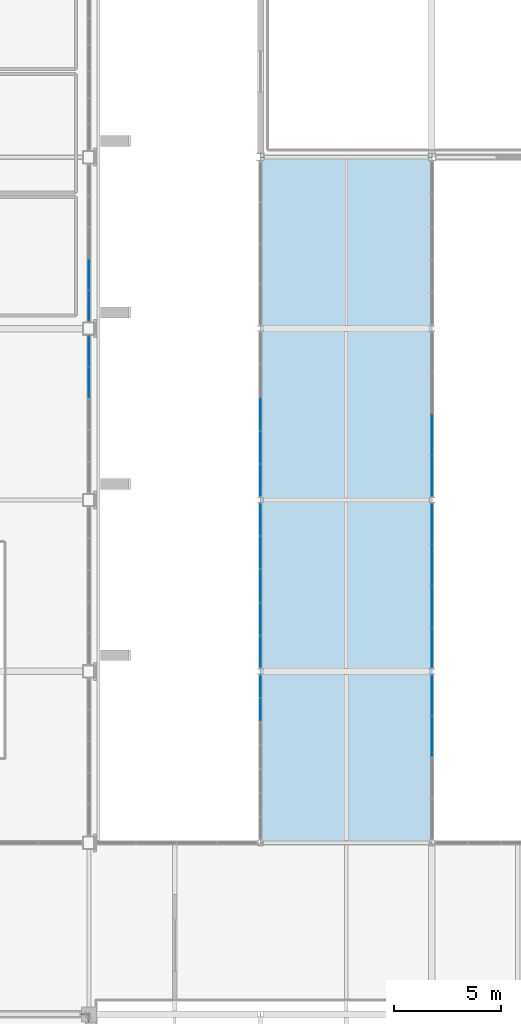
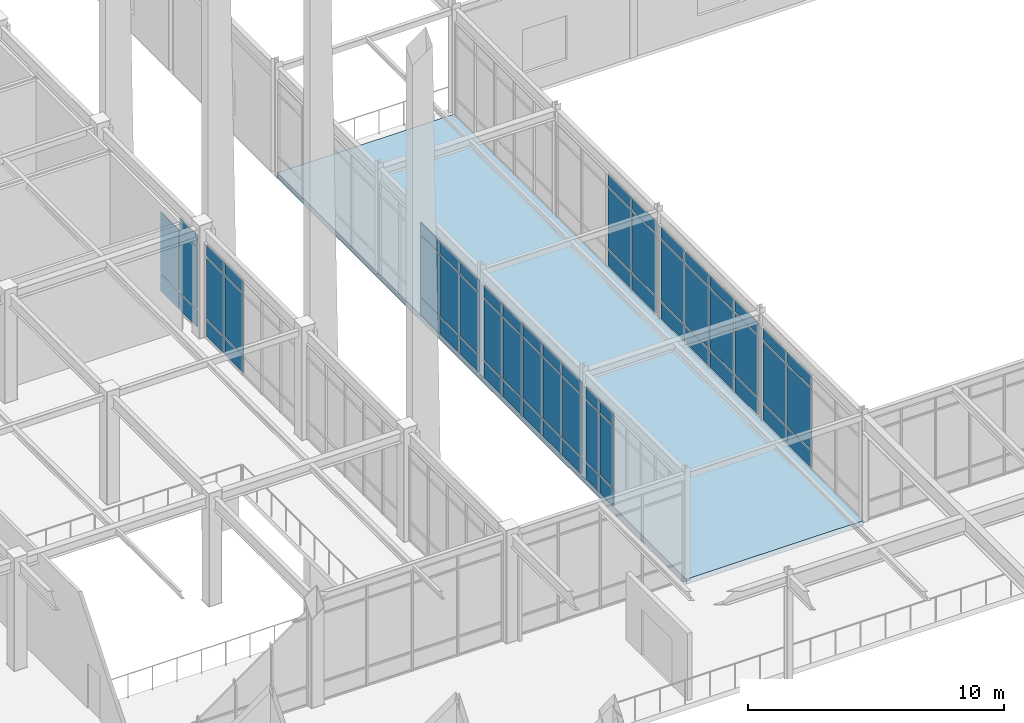
# One storey, part 88 of 184: 65 plates, 1 slab, 8 elements without a shape of their own.
"""IFC4 building model written with IfcOpenShell, lengths in metres."""

from ifc_helpers import new_model, si_unit, direction, frame, origin, origin_2d, place, context, subcontext, project, spatial, polyline, rectangle, outline, extrude, material, layer, layer_set, type_object, element, aggregate, save


model = new_model("IFC4")

# Units and contexts
model_context = context("Model", 3, precision=1e-05, world=origin(), true_north=direction((0.0, 1.0)))
body_context = subcontext(model_context, "Body", "Model", "MODEL_VIEW")
ifc_project = project(units=[si_unit("LENGTHUNIT", "METRE"), si_unit("AREAUNIT", "SQUARE_METRE"), si_unit("VOLUMEUNIT", "CUBIC_METRE"), si_unit("PLANEANGLEUNIT", "RADIAN"), si_unit("MASSUNIT", "GRAM", prefix="KILO")], contexts=[model_context])

# Site, building, storey
site_placement = place(None, origin())
site = spatial("IfcSite", under=ifc_project, at=site_placement, CompositionType="ELEMENT")
building_placement = place(site_placement, origin())
building = spatial("IfcBuilding", under=site, at=building_placement, Name="Zhaolan Boulevard Law Courts", CompositionType="ELEMENT")
storey_placement = place(building_placement, frame((0.0, 0.0, 5.39990234375)))
storey = spatial("IfcBuildingStorey", under=building, at=storey_placement, Name="L01", CompositionType="ELEMENT", Elevation=5.39990234375)

# Curtain wall, plates
ifc_material_1 = material(Name="Thermally broken aluminium and low-E glazing", Category="aluminium")
curtain_wall_type_1 = type_object("IfcCurtainWallType", Name="CURTAIN WALL M18", PredefinedType="USERDEFINED", material=ifc_material_1)
curtain_wall_1_placement = place(storey_placement, origin())
curtain_wall_1 = element("IfcCurtainWall", 1, at=curtain_wall_1_placement, inside=storey, type_object=curtain_wall_type_1, Name="Curtain Wall CW-L01-066", ObjectType="CURTAIN WALL", PredefinedType="USERDEFINED")
ifc_material_2 = material(Name="Acoustic laminated low-E glazing", Category="glass")
ifc_layer_1 = layer(ifc_material_2, 0.031982421875)
ifc_layer_set_1 = layer_set([ifc_layer_1])
plate_type = type_object("IfcPlateType", Name="CWPANEL LOW E32", PredefinedType="CURTAIN_PANEL", material=ifc_layer_set_1)
plate_1_placement = place(storey_placement, frame((52.0, 37.303466796875, 0.06494140625), z_axis=(0.0, 0.0, 1.0), x_axis=(0.0, -1.0, 0.0)))
plate_1 = element("IfcPlate", 2, at=plate_1_placement, type_object=plate_type, Name="CW-L01-066 panel 1.1", PredefinedType="CURTAIN_PANEL", context=body_context, shape_type="SweptSolid", body=[
    extrude(rectangle(XDim=1.009033203125, YDim=0.031982421875, at=origin_2d()), origin(), (0.0, 0.0, 1.0), 0.802490234375),
])
plate_2_placement = place(storey_placement, frame((52.0, 37.303466796875, 0.9326171875), z_axis=(0.0, 0.0, 1.0), x_axis=(0.0, -1.0, 0.0)))
plate_2 = element("IfcPlate", 3, at=plate_2_placement, type_object=plate_type, Name="CW-L01-066 panel 1.2", PredefinedType="CURTAIN_PANEL", context=body_context, shape_type="SweptSolid", body=[
    extrude(rectangle(XDim=1.009033203125, YDim=0.031982421875, at=origin_2d()), origin(), (0.0, 0.0, 1.0), 2.91796875),
])
plate_3_placement = place(storey_placement, frame((52.0, 37.303466796875, 3.91552734375), z_axis=(0.0, 0.0, 1.0), x_axis=(0.0, -1.0, 0.0)))
plate_3 = element("IfcPlate", 4, at=plate_3_placement, type_object=plate_type, Name="CW-L01-066 panel 1.3", PredefinedType="CURTAIN_PANEL", context=body_context, shape_type="SweptSolid", body=[
    extrude(rectangle(XDim=1.009033203125, YDim=0.031982421875, at=origin_2d()), origin(), (0.0, 0.0, 1.0), 0.552490234375),
])
plate_4_placement = place(storey_placement, frame((52.0, 36.213134765625, 0.06494140625), z_axis=(0.0, 0.0, 1.0), x_axis=(0.0, -1.0, 0.0)))
plate_4 = element("IfcPlate", 5, at=plate_4_placement, type_object=plate_type, Name="CW-L01-066 panel 2.1", PredefinedType="CURTAIN_PANEL", context=body_context, shape_type="SweptSolid", body=[
    extrude(rectangle(XDim=1.04150390625, YDim=0.031982421875, at=origin_2d()), origin(), (0.0, 0.0, 1.0), 0.802490234375),
])
plate_5_placement = place(storey_placement, frame((52.0, 36.213134765625, 0.9326171875), z_axis=(0.0, 0.0, 1.0), x_axis=(0.0, -1.0, 0.0)))
plate_5 = element("IfcPlate", 6, at=plate_5_placement, type_object=plate_type, Name="CW-L01-066 panel 2.2", PredefinedType="CURTAIN_PANEL", context=body_context, shape_type="SweptSolid", body=[
    extrude(rectangle(XDim=1.04150390625, YDim=0.031982421875, at=origin_2d()), origin(), (0.0, 0.0, 1.0), 2.91796875),
])
plate_6_placement = place(storey_placement, frame((52.0, 36.213134765625, 3.91552734375), z_axis=(0.0, 0.0, 1.0), x_axis=(0.0, -1.0, 0.0)))
plate_6 = element("IfcPlate", 7, at=plate_6_placement, type_object=plate_type, Name="CW-L01-066 panel 2.3", PredefinedType="CURTAIN_PANEL", context=body_context, shape_type="SweptSolid", body=[
    extrude(rectangle(XDim=1.04150390625, YDim=0.031982421875, at=origin_2d()), origin(), (0.0, 0.0, 1.0), 0.552490234375),
])
aggregate(curtain_wall_1, [plate_1, plate_2, plate_3, plate_4, plate_5, plate_6])

ifc_material_3 = material(Name="Thermally broken aluminium and low-E glazing", Category="aluminium")
curtain_wall_type_2 = type_object("IfcCurtainWallType", Name="CURTAIN WALL M19", PredefinedType="USERDEFINED", material=ifc_material_3)
curtain_wall_2_placement = place(storey_placement, origin())
curtain_wall_2 = element("IfcCurtainWall", 8, at=curtain_wall_2_placement, inside=storey, type_object=curtain_wall_type_2, Name="Curtain Wall CW-L01-067", ObjectType="CURTAIN WALL", PredefinedType="USERDEFINED")
plate_7_placement = place(storey_placement, frame((52.0, 45.08203125, 0.06494140625), z_axis=(0.0, 0.0, 1.0), x_axis=(0.0, -1.0, 0.0)))
plate_7 = element("IfcPlate", 9, at=plate_7_placement, type_object=plate_type, Name="CW-L01-067 panel 1.1", PredefinedType="CURTAIN_PANEL", context=body_context, shape_type="SweptSolid", body=[
    extrude(rectangle(XDim=1.45166015625, YDim=0.031982421875, at=origin_2d()), origin(), (0.0, 0.0, 1.0), 0.802490234375),
])
plate_8_placement = place(storey_placement, frame((52.0, 45.08203125, 0.9326171875), z_axis=(0.0, 0.0, 1.0), x_axis=(0.0, -1.0, 0.0)))
plate_8 = element("IfcPlate", 10, at=plate_8_placement, type_object=plate_type, Name="CW-L01-067 panel 1.2", PredefinedType="CURTAIN_PANEL", context=body_context, shape_type="SweptSolid", body=[
    extrude(rectangle(XDim=1.45166015625, YDim=0.031982421875, at=origin_2d()), origin(), (0.0, 0.0, 1.0), 2.91796875),
])
plate_9_placement = place(storey_placement, frame((52.0, 45.08203125, 3.91552734375), z_axis=(0.0, 0.0, 1.0), x_axis=(0.0, -1.0, 0.0)))
plate_9 = element("IfcPlate", 11, at=plate_9_placement, type_object=plate_type, Name="CW-L01-067 panel 1.3", PredefinedType="CURTAIN_PANEL", context=body_context, shape_type="SweptSolid", body=[
    extrude(rectangle(XDim=1.45166015625, YDim=0.031982421875, at=origin_2d()), origin(), (0.0, 0.0, 1.0), 0.552490234375),
])
plate_10_placement = place(storey_placement, frame((52.0, 43.54931640625, 0.06494140625), z_axis=(0.0, 0.0, 1.0), x_axis=(0.0, -1.0, 0.0)))
plate_10 = element("IfcPlate", 12, at=plate_10_placement, type_object=plate_type, Name="CW-L01-067 panel 2.1", PredefinedType="CURTAIN_PANEL", context=body_context, shape_type="SweptSolid", body=[
    extrude(rectangle(XDim=1.484130859375, YDim=0.031982421875, at=origin_2d()), origin(), (0.0, 0.0, 1.0), 0.802490234375),
])
plate_11_placement = place(storey_placement, frame((52.0, 43.54931640625, 0.9326171875), z_axis=(0.0, 0.0, 1.0), x_axis=(0.0, -1.0, 0.0)))
plate_11 = element("IfcPlate", 13, at=plate_11_placement, type_object=plate_type, Name="CW-L01-067 panel 2.2", PredefinedType="CURTAIN_PANEL", context=body_context, shape_type="SweptSolid", body=[
    extrude(rectangle(XDim=1.484130859375, YDim=0.031982421875, at=origin_2d()), origin(), (0.0, 0.0, 1.0), 2.91796875),
])
plate_12_placement = place(storey_placement, frame((52.0, 43.54931640625, 3.91552734375), z_axis=(0.0, 0.0, 1.0), x_axis=(0.0, -1.0, 0.0)))
plate_12 = element("IfcPlate", 14, at=plate_12_placement, type_object=plate_type, Name="CW-L01-067 panel 2.3", PredefinedType="CURTAIN_PANEL", context=body_context, shape_type="SweptSolid", body=[
    extrude(rectangle(XDim=1.484130859375, YDim=0.031982421875, at=origin_2d()), origin(), (0.0, 0.0, 1.0), 0.552490234375),
])
plate_13_placement = place(storey_placement, frame((52.0, 42.0, 0.06494140625), z_axis=(0.0, 0.0, 1.0), x_axis=(0.0, -1.0, 0.0)))
plate_13 = element("IfcPlate", 15, at=plate_13_placement, type_object=plate_type, Name="CW-L01-067 panel 3.1", PredefinedType="CURTAIN_PANEL", context=body_context, shape_type="SweptSolid", body=[
    extrude(rectangle(XDim=1.484130859375, YDim=0.031982421875, at=origin_2d()), origin(), (0.0, 0.0, 1.0), 0.802490234375),
])
plate_14_placement = place(storey_placement, frame((52.0, 42.0, 0.9326171875), z_axis=(0.0, 0.0, 1.0), x_axis=(0.0, -1.0, 0.0)))
plate_14 = element("IfcPlate", 16, at=plate_14_placement, type_object=plate_type, Name="CW-L01-067 panel 3.2", PredefinedType="CURTAIN_PANEL", context=body_context, shape_type="SweptSolid", body=[
    extrude(rectangle(XDim=1.484130859375, YDim=0.031982421875, at=origin_2d()), origin(), (0.0, 0.0, 1.0), 2.91796875),
])
plate_15_placement = place(storey_placement, frame((52.0, 42.0, 3.91552734375), z_axis=(0.0, 0.0, 1.0), x_axis=(0.0, -1.0, 0.0)))
plate_15 = element("IfcPlate", 17, at=plate_15_placement, type_object=plate_type, Name="CW-L01-067 panel 3.3", PredefinedType="CURTAIN_PANEL", context=body_context, shape_type="SweptSolid", body=[
    extrude(rectangle(XDim=1.484130859375, YDim=0.031982421875, at=origin_2d()), origin(), (0.0, 0.0, 1.0), 0.552490234375),
])
plate_16_placement = place(storey_placement, frame((52.0, 40.45068359375, 0.06494140625), z_axis=(0.0, 0.0, 1.0), x_axis=(0.0, -1.0, 0.0)))
plate_16 = element("IfcPlate", 18, at=plate_16_placement, type_object=plate_type, Name="CW-L01-067 panel 4.1", PredefinedType="CURTAIN_PANEL", context=body_context, shape_type="SweptSolid", body=[
    extrude(rectangle(XDim=1.484130859375, YDim=0.031982421875, at=origin_2d()), origin(), (0.0, 0.0, 1.0), 0.802490234375),
])
plate_17_placement = place(storey_placement, frame((52.0, 40.45068359375, 0.9326171875), z_axis=(0.0, 0.0, 1.0), x_axis=(0.0, -1.0, 0.0)))
plate_17 = element("IfcPlate", 19, at=plate_17_placement, type_object=plate_type, Name="CW-L01-067 panel 4.2", PredefinedType="CURTAIN_PANEL", context=body_context, shape_type="SweptSolid", body=[
    extrude(rectangle(XDim=1.484130859375, YDim=0.031982421875, at=origin_2d()), origin(), (0.0, 0.0, 1.0), 2.91796875),
])
plate_18_placement = place(storey_placement, frame((52.0, 40.45068359375, 3.91552734375), z_axis=(0.0, 0.0, 1.0), x_axis=(0.0, -1.0, 0.0)))
plate_18 = element("IfcPlate", 20, at=plate_18_placement, type_object=plate_type, Name="CW-L01-067 panel 4.3", PredefinedType="CURTAIN_PANEL", context=body_context, shape_type="SweptSolid", body=[
    extrude(rectangle(XDim=1.484130859375, YDim=0.031982421875, at=origin_2d()), origin(), (0.0, 0.0, 1.0), 0.552490234375),
])
plate_19_placement = place(storey_placement, frame((52.0, 38.91796875, 0.06494140625), z_axis=(0.0, 0.0, 1.0), x_axis=(0.0, -1.0, 0.0)))
plate_19 = element("IfcPlate", 21, at=plate_19_placement, type_object=plate_type, Name="CW-L01-067 panel 5.1", PredefinedType="CURTAIN_PANEL", context=body_context, shape_type="SweptSolid", body=[
    extrude(rectangle(XDim=1.45166015625, YDim=0.031982421875, at=origin_2d()), origin(), (0.0, 0.0, 1.0), 0.802490234375),
])
plate_20_placement = place(storey_placement, frame((52.0, 38.91796875, 0.9326171875), z_axis=(0.0, 0.0, 1.0), x_axis=(0.0, -1.0, 0.0)))
plate_20 = element("IfcPlate", 22, at=plate_20_placement, type_object=plate_type, Name="CW-L01-067 panel 5.2", PredefinedType="CURTAIN_PANEL", context=body_context, shape_type="SweptSolid", body=[
    extrude(rectangle(XDim=1.45166015625, YDim=0.031982421875, at=origin_2d()), origin(), (0.0, 0.0, 1.0), 2.91796875),
])
plate_21_placement = place(storey_placement, frame((52.0, 38.91796875, 3.91552734375), z_axis=(0.0, 0.0, 1.0), x_axis=(0.0, -1.0, 0.0)))
plate_21 = element("IfcPlate", 23, at=plate_21_placement, type_object=plate_type, Name="CW-L01-067 panel 5.3", PredefinedType="CURTAIN_PANEL", context=body_context, shape_type="SweptSolid", body=[
    extrude(rectangle(XDim=1.45166015625, YDim=0.031982421875, at=origin_2d()), origin(), (0.0, 0.0, 1.0), 0.552490234375),
])
aggregate(curtain_wall_2, [plate_7, plate_8, plate_9, plate_10, plate_11, plate_12, plate_13, plate_14, plate_15, plate_16, plate_17, plate_18, plate_19, plate_20, plate_21])

ifc_material_4 = material(Name="Thermally broken aluminium and low-E glazing", Category="aluminium")
curtain_wall_type_3 = type_object("IfcCurtainWallType", Name="CURTAIN WALL M20", PredefinedType="USERDEFINED", material=ifc_material_4)
curtain_wall_3_placement = place(storey_placement, origin())
curtain_wall_3 = element("IfcCurtainWall", 24, at=curtain_wall_3_placement, inside=storey, type_object=curtain_wall_type_3, Name="Curtain Wall CW-L01-068", ObjectType="CURTAIN WALL", PredefinedType="USERDEFINED")
plate_22_placement = place(storey_placement, frame((52.0, 50.0, 0.06494140625), z_axis=(0.0, 0.0, 1.0), x_axis=(0.0, -1.0, 0.0)))
plate_22 = element("IfcPlate", 25, at=plate_22_placement, type_object=plate_type, Name="CW-L01-068 panel 3.1", PredefinedType="CURTAIN_PANEL", context=body_context, shape_type="SweptSolid", body=[
    extrude(rectangle(XDim=1.484130859375, YDim=0.031982421875, at=origin_2d()), origin(), (0.0, 0.0, 1.0), 0.802490234375),
])
plate_23_placement = place(storey_placement, frame((52.0, 50.0, 0.9326171875), z_axis=(0.0, 0.0, 1.0), x_axis=(0.0, -1.0, 0.0)))
plate_23 = element("IfcPlate", 26, at=plate_23_placement, type_object=plate_type, Name="CW-L01-068 panel 3.2", PredefinedType="CURTAIN_PANEL", context=body_context, shape_type="SweptSolid", body=[
    extrude(rectangle(XDim=1.484130859375, YDim=0.031982421875, at=origin_2d()), origin(), (0.0, 0.0, 1.0), 2.91796875),
])
plate_24_placement = place(storey_placement, frame((52.0, 50.0, 3.91552734375), z_axis=(0.0, 0.0, 1.0), x_axis=(0.0, -1.0, 0.0)))
plate_24 = element("IfcPlate", 27, at=plate_24_placement, type_object=plate_type, Name="CW-L01-068 panel 3.3", PredefinedType="CURTAIN_PANEL", context=body_context, shape_type="SweptSolid", body=[
    extrude(rectangle(XDim=1.484130859375, YDim=0.031982421875, at=origin_2d()), origin(), (0.0, 0.0, 1.0), 0.552490234375),
])
plate_25_placement = place(storey_placement, frame((52.0, 48.45068359375, 0.06494140625), z_axis=(0.0, 0.0, 1.0), x_axis=(0.0, -1.0, 0.0)))
plate_25 = element("IfcPlate", 28, at=plate_25_placement, type_object=plate_type, Name="CW-L01-068 panel 4.1", PredefinedType="CURTAIN_PANEL", context=body_context, shape_type="SweptSolid", body=[
    extrude(rectangle(XDim=1.484130859375, YDim=0.031982421875, at=origin_2d()), origin(), (0.0, 0.0, 1.0), 0.802490234375),
])
plate_26_placement = place(storey_placement, frame((52.0, 48.45068359375, 0.9326171875), z_axis=(0.0, 0.0, 1.0), x_axis=(0.0, -1.0, 0.0)))
plate_26 = element("IfcPlate", 29, at=plate_26_placement, type_object=plate_type, Name="CW-L01-068 panel 4.2", PredefinedType="CURTAIN_PANEL", context=body_context, shape_type="SweptSolid", body=[
    extrude(rectangle(XDim=1.484130859375, YDim=0.031982421875, at=origin_2d()), origin(), (0.0, 0.0, 1.0), 2.91796875),
])
plate_27_placement = place(storey_placement, frame((52.0, 48.45068359375, 3.91552734375), z_axis=(0.0, 0.0, 1.0), x_axis=(0.0, -1.0, 0.0)))
plate_27 = element("IfcPlate", 30, at=plate_27_placement, type_object=plate_type, Name="CW-L01-068 panel 4.3", PredefinedType="CURTAIN_PANEL", context=body_context, shape_type="SweptSolid", body=[
    extrude(rectangle(XDim=1.484130859375, YDim=0.031982421875, at=origin_2d()), origin(), (0.0, 0.0, 1.0), 0.552490234375),
])
plate_28_placement = place(storey_placement, frame((52.0, 46.91796875, 0.06494140625), z_axis=(0.0, 0.0, 1.0), x_axis=(0.0, -1.0, 0.0)))
plate_28 = element("IfcPlate", 31, at=plate_28_placement, type_object=plate_type, Name="CW-L01-068 panel 5.1", PredefinedType="CURTAIN_PANEL", context=body_context, shape_type="SweptSolid", body=[
    extrude(rectangle(XDim=1.45166015625, YDim=0.031982421875, at=origin_2d()), origin(), (0.0, 0.0, 1.0), 0.802490234375),
])
plate_29_placement = place(storey_placement, frame((52.0, 46.91796875, 0.9326171875), z_axis=(0.0, 0.0, 1.0), x_axis=(0.0, -1.0, 0.0)))
plate_29 = element("IfcPlate", 32, at=plate_29_placement, type_object=plate_type, Name="CW-L01-068 panel 5.2", PredefinedType="CURTAIN_PANEL", context=body_context, shape_type="SweptSolid", body=[
    extrude(rectangle(XDim=1.45166015625, YDim=0.031982421875, at=origin_2d()), origin(), (0.0, 0.0, 1.0), 2.91796875),
])
plate_30_placement = place(storey_placement, frame((52.0, 46.91796875, 3.91552734375), z_axis=(0.0, 0.0, 1.0), x_axis=(0.0, -1.0, 0.0)))
plate_30 = element("IfcPlate", 33, at=plate_30_placement, type_object=plate_type, Name="CW-L01-068 panel 5.3", PredefinedType="CURTAIN_PANEL", context=body_context, shape_type="SweptSolid", body=[
    extrude(rectangle(XDim=1.45166015625, YDim=0.031982421875, at=origin_2d()), origin(), (0.0, 0.0, 1.0), 0.552490234375),
])
aggregate(curtain_wall_3, [plate_22, plate_23, plate_24, plate_25, plate_26, plate_27, plate_28, plate_29, plate_30])

ifc_material_5 = material(Name="Thermally broken aluminium and low-E glazing", Category="aluminium")
curtain_wall_type_4 = type_object("IfcCurtainWallType", Name="CURTAIN WALL M22", PredefinedType="USERDEFINED", material=ifc_material_5)
curtain_wall_4_placement = place(storey_placement, origin())
curtain_wall_4 = element("IfcCurtainWall", 34, at=curtain_wall_4_placement, inside=storey, type_object=curtain_wall_type_4, Name="Curtain Wall CW-L01-070", ObjectType="CURTAIN WALL", PredefinedType="USERDEFINED")
plate_31_placement = place(storey_placement, frame((60.0, 34.96826171875, 0.06494140625), z_axis=(0.0, 0.0, 1.0), x_axis=(0.0, 1.0, 0.0)))
plate_31 = element("IfcPlate", 35, at=plate_31_placement, type_object=plate_type, Name="CW-L01-070 panel 3.1", PredefinedType="CURTAIN_PANEL", context=body_context, shape_type="SweptSolid", body=[
    extrude(rectangle(XDim=1.87158203125, YDim=0.031982421875, at=origin_2d()), origin(), (0.0, 0.0, 1.0), 0.802490234375),
])
plate_32_placement = place(storey_placement, frame((60.0, 34.96826171875, 0.9326171875), z_axis=(0.0, 0.0, 1.0), x_axis=(0.0, 1.0, 0.0)))
plate_32 = element("IfcPlate", 36, at=plate_32_placement, type_object=plate_type, Name="CW-L01-070 panel 3.2", PredefinedType="CURTAIN_PANEL", context=body_context, shape_type="SweptSolid", body=[
    extrude(rectangle(XDim=1.87158203125, YDim=0.031982421875, at=origin_2d()), origin(), (0.0, 0.0, 1.0), 2.91796875),
])
plate_33_placement = place(storey_placement, frame((60.0, 34.96826171875, 3.91552734375), z_axis=(0.0, 0.0, 1.0), x_axis=(0.0, 1.0, 0.0)))
plate_33 = element("IfcPlate", 37, at=plate_33_placement, type_object=plate_type, Name="CW-L01-070 panel 3.3", PredefinedType="CURTAIN_PANEL", context=body_context, shape_type="SweptSolid", body=[
    extrude(rectangle(XDim=1.87158203125, YDim=0.031982421875, at=origin_2d()), origin(), (0.0, 0.0, 1.0), 0.552490234375),
])
plate_34_placement = place(storey_placement, frame((60.0, 36.888427734375, 0.06494140625), z_axis=(0.0, 0.0, 1.0), x_axis=(0.0, 1.0, 0.0)))
plate_34 = element("IfcPlate", 38, at=plate_34_placement, type_object=plate_type, Name="CW-L01-070 panel 4.1", PredefinedType="CURTAIN_PANEL", context=body_context, shape_type="SweptSolid", body=[
    extrude(rectangle(XDim=1.839111328125, YDim=0.031982421875, at=origin_2d()), origin(), (0.0, 0.0, 1.0), 0.802490234375),
])
plate_35_placement = place(storey_placement, frame((60.0, 36.888427734375, 0.9326171875), z_axis=(0.0, 0.0, 1.0), x_axis=(0.0, 1.0, 0.0)))
plate_35 = element("IfcPlate", 39, at=plate_35_placement, type_object=plate_type, Name="CW-L01-070 panel 4.2", PredefinedType="CURTAIN_PANEL", context=body_context, shape_type="SweptSolid", body=[
    extrude(rectangle(XDim=1.839111328125, YDim=0.031982421875, at=origin_2d()), origin(), (0.0, 0.0, 1.0), 2.91796875),
])
plate_36_placement = place(storey_placement, frame((60.0, 36.888427734375, 3.91552734375), z_axis=(0.0, 0.0, 1.0), x_axis=(0.0, 1.0, 0.0)))
plate_36 = element("IfcPlate", 40, at=plate_36_placement, type_object=plate_type, Name="CW-L01-070 panel 4.3", PredefinedType="CURTAIN_PANEL", context=body_context, shape_type="SweptSolid", body=[
    extrude(rectangle(XDim=1.839111328125, YDim=0.031982421875, at=origin_2d()), origin(), (0.0, 0.0, 1.0), 0.552490234375),
])
aggregate(curtain_wall_4, [plate_31, plate_32, plate_33, plate_34, plate_35, plate_36])

ifc_material_6 = material(Name="Thermally broken aluminium and low-E glazing", Category="aluminium")
curtain_wall_type_5 = type_object("IfcCurtainWallType", Name="CURTAIN WALL M23", PredefinedType="USERDEFINED", material=ifc_material_6)
curtain_wall_5_placement = place(storey_placement, origin())
curtain_wall_5 = element("IfcCurtainWall", 41, at=curtain_wall_5_placement, inside=storey, type_object=curtain_wall_type_5, Name="Curtain Wall CW-L01-071", ObjectType="CURTAIN WALL", PredefinedType="USERDEFINED")
plate_37_placement = place(storey_placement, frame((60.0, 39.111572265625, 0.06494140625), z_axis=(0.0, 0.0, 1.0), x_axis=(0.0, 1.0, 0.0)))
plate_37 = element("IfcPlate", 42, at=plate_37_placement, type_object=plate_type, Name="CW-L01-071 panel 1.1", PredefinedType="CURTAIN_PANEL", context=body_context, shape_type="SweptSolid", body=[
    extrude(rectangle(XDim=1.839111328125, YDim=0.031982421875, at=origin_2d()), origin(), (0.0, 0.0, 1.0), 0.802490234375),
])
plate_38_placement = place(storey_placement, frame((60.0, 39.111572265625, 0.9326171875), z_axis=(0.0, 0.0, 1.0), x_axis=(0.0, 1.0, 0.0)))
plate_38 = element("IfcPlate", 43, at=plate_38_placement, type_object=plate_type, Name="CW-L01-071 panel 1.2", PredefinedType="CURTAIN_PANEL", context=body_context, shape_type="SweptSolid", body=[
    extrude(rectangle(XDim=1.839111328125, YDim=0.031982421875, at=origin_2d()), origin(), (0.0, 0.0, 1.0), 2.91796875),
])
plate_39_placement = place(storey_placement, frame((60.0, 39.111572265625, 3.91552734375), z_axis=(0.0, 0.0, 1.0), x_axis=(0.0, 1.0, 0.0)))
plate_39 = element("IfcPlate", 44, at=plate_39_placement, type_object=plate_type, Name="CW-L01-071 panel 1.3", PredefinedType="CURTAIN_PANEL", context=body_context, shape_type="SweptSolid", body=[
    extrude(rectangle(XDim=1.839111328125, YDim=0.031982421875, at=origin_2d()), origin(), (0.0, 0.0, 1.0), 0.552490234375),
])
plate_40_placement = place(storey_placement, frame((60.0, 41.03173828125, 0.06494140625), z_axis=(0.0, 0.0, 1.0), x_axis=(0.0, 1.0, 0.0)))
plate_40 = element("IfcPlate", 45, at=plate_40_placement, type_object=plate_type, Name="CW-L01-071 panel 2.1", PredefinedType="CURTAIN_PANEL", context=body_context, shape_type="SweptSolid", body=[
    extrude(rectangle(XDim=1.87158203125, YDim=0.031982421875, at=origin_2d()), origin(), (0.0, 0.0, 1.0), 0.802490234375),
])
plate_41_placement = place(storey_placement, frame((60.0, 41.03173828125, 0.9326171875), z_axis=(0.0, 0.0, 1.0), x_axis=(0.0, 1.0, 0.0)))
plate_41 = element("IfcPlate", 46, at=plate_41_placement, type_object=plate_type, Name="CW-L01-071 panel 2.2", PredefinedType="CURTAIN_PANEL", context=body_context, shape_type="SweptSolid", body=[
    extrude(rectangle(XDim=1.87158203125, YDim=0.031982421875, at=origin_2d()), origin(), (0.0, 0.0, 1.0), 2.91796875),
])
plate_42_placement = place(storey_placement, frame((60.0, 41.03173828125, 3.91552734375), z_axis=(0.0, 0.0, 1.0), x_axis=(0.0, 1.0, 0.0)))
plate_42 = element("IfcPlate", 47, at=plate_42_placement, type_object=plate_type, Name="CW-L01-071 panel 2.3", PredefinedType="CURTAIN_PANEL", context=body_context, shape_type="SweptSolid", body=[
    extrude(rectangle(XDim=1.87158203125, YDim=0.031982421875, at=origin_2d()), origin(), (0.0, 0.0, 1.0), 0.552490234375),
])
plate_43_placement = place(storey_placement, frame((60.0, 42.96826171875, 0.06494140625), z_axis=(0.0, 0.0, 1.0), x_axis=(0.0, 1.0, 0.0)))
plate_43 = element("IfcPlate", 48, at=plate_43_placement, type_object=plate_type, Name="CW-L01-071 panel 3.1", PredefinedType="CURTAIN_PANEL", context=body_context, shape_type="SweptSolid", body=[
    extrude(rectangle(XDim=1.87158203125, YDim=0.031982421875, at=origin_2d()), origin(), (0.0, 0.0, 1.0), 0.802490234375),
])
plate_44_placement = place(storey_placement, frame((60.0, 42.96826171875, 0.9326171875), z_axis=(0.0, 0.0, 1.0), x_axis=(0.0, 1.0, 0.0)))
plate_44 = element("IfcPlate", 49, at=plate_44_placement, type_object=plate_type, Name="CW-L01-071 panel 3.2", PredefinedType="CURTAIN_PANEL", context=body_context, shape_type="SweptSolid", body=[
    extrude(rectangle(XDim=1.87158203125, YDim=0.031982421875, at=origin_2d()), origin(), (0.0, 0.0, 1.0), 2.91796875),
])
plate_45_placement = place(storey_placement, frame((60.0, 42.96826171875, 3.91552734375), z_axis=(0.0, 0.0, 1.0), x_axis=(0.0, 1.0, 0.0)))
plate_45 = element("IfcPlate", 50, at=plate_45_placement, type_object=plate_type, Name="CW-L01-071 panel 3.3", PredefinedType="CURTAIN_PANEL", context=body_context, shape_type="SweptSolid", body=[
    extrude(rectangle(XDim=1.87158203125, YDim=0.031982421875, at=origin_2d()), origin(), (0.0, 0.0, 1.0), 0.552490234375),
])
plate_46_placement = place(storey_placement, frame((60.0, 44.888427734375, 0.06494140625), z_axis=(0.0, 0.0, 1.0), x_axis=(0.0, 1.0, 0.0)))
plate_46 = element("IfcPlate", 51, at=plate_46_placement, type_object=plate_type, Name="CW-L01-071 panel 4.1", PredefinedType="CURTAIN_PANEL", context=body_context, shape_type="SweptSolid", body=[
    extrude(rectangle(XDim=1.839111328125, YDim=0.031982421875, at=origin_2d()), origin(), (0.0, 0.0, 1.0), 0.802490234375),
])
plate_47_placement = place(storey_placement, frame((60.0, 44.888427734375, 0.9326171875), z_axis=(0.0, 0.0, 1.0), x_axis=(0.0, 1.0, 0.0)))
plate_47 = element("IfcPlate", 52, at=plate_47_placement, type_object=plate_type, Name="CW-L01-071 panel 4.2", PredefinedType="CURTAIN_PANEL", context=body_context, shape_type="SweptSolid", body=[
    extrude(rectangle(XDim=1.839111328125, YDim=0.031982421875, at=origin_2d()), origin(), (0.0, 0.0, 1.0), 2.91796875),
])
plate_48_placement = place(storey_placement, frame((60.0, 44.888427734375, 3.91552734375), z_axis=(0.0, 0.0, 1.0), x_axis=(0.0, 1.0, 0.0)))
plate_48 = element("IfcPlate", 53, at=plate_48_placement, type_object=plate_type, Name="CW-L01-071 panel 4.3", PredefinedType="CURTAIN_PANEL", context=body_context, shape_type="SweptSolid", body=[
    extrude(rectangle(XDim=1.839111328125, YDim=0.031982421875, at=origin_2d()), origin(), (0.0, 0.0, 1.0), 0.552490234375),
])
aggregate(curtain_wall_5, [plate_37, plate_38, plate_39, plate_40, plate_41, plate_42, plate_43, plate_44, plate_45, plate_46, plate_47, plate_48])

ifc_material_7 = material(Name="Thermally broken aluminium and low-E glazing", Category="aluminium")
curtain_wall_type_6 = type_object("IfcCurtainWallType", Name="CURTAIN WALL M24", PredefinedType="USERDEFINED", material=ifc_material_7)
curtain_wall_6_placement = place(storey_placement, origin())
curtain_wall_6 = element("IfcCurtainWall", 54, at=curtain_wall_6_placement, inside=storey, type_object=curtain_wall_type_6, Name="Curtain Wall CW-L01-072", ObjectType="CURTAIN WALL", PredefinedType="USERDEFINED")
plate_49_placement = place(storey_placement, frame((60.0, 47.111572265625, 0.06494140625), z_axis=(0.0, 0.0, 1.0), x_axis=(0.0, 1.0, 0.0)))
plate_49 = element("IfcPlate", 55, at=plate_49_placement, type_object=plate_type, Name="CW-L01-072 panel 1.1", PredefinedType="CURTAIN_PANEL", context=body_context, shape_type="SweptSolid", body=[
    extrude(rectangle(XDim=1.839111328125, YDim=0.031982421875, at=origin_2d()), origin(), (0.0, 0.0, 1.0), 0.802490234375),
])
plate_50_placement = place(storey_placement, frame((60.0, 47.111572265625, 0.9326171875), z_axis=(0.0, 0.0, 1.0), x_axis=(0.0, 1.0, 0.0)))
plate_50 = element("IfcPlate", 56, at=plate_50_placement, type_object=plate_type, Name="CW-L01-072 panel 1.2", PredefinedType="CURTAIN_PANEL", context=body_context, shape_type="SweptSolid", body=[
    extrude(rectangle(XDim=1.839111328125, YDim=0.031982421875, at=origin_2d()), origin(), (0.0, 0.0, 1.0), 2.91796875),
])
plate_51_placement = place(storey_placement, frame((60.0, 47.111572265625, 3.91552734375), z_axis=(0.0, 0.0, 1.0), x_axis=(0.0, 1.0, 0.0)))
plate_51 = element("IfcPlate", 57, at=plate_51_placement, type_object=plate_type, Name="CW-L01-072 panel 1.3", PredefinedType="CURTAIN_PANEL", context=body_context, shape_type="SweptSolid", body=[
    extrude(rectangle(XDim=1.839111328125, YDim=0.031982421875, at=origin_2d()), origin(), (0.0, 0.0, 1.0), 0.552490234375),
])
plate_52_placement = place(storey_placement, frame((60.0, 49.03173828125, 0.06494140625), z_axis=(0.0, 0.0, 1.0), x_axis=(0.0, 1.0, 0.0)))
plate_52 = element("IfcPlate", 58, at=plate_52_placement, type_object=plate_type, Name="CW-L01-072 panel 2.1", PredefinedType="CURTAIN_PANEL", context=body_context, shape_type="SweptSolid", body=[
    extrude(rectangle(XDim=1.87158203125, YDim=0.031982421875, at=origin_2d()), origin(), (0.0, 0.0, 1.0), 0.802490234375),
])
plate_53_placement = place(storey_placement, frame((60.0, 49.03173828125, 0.9326171875), z_axis=(0.0, 0.0, 1.0), x_axis=(0.0, 1.0, 0.0)))
plate_53 = element("IfcPlate", 59, at=plate_53_placement, type_object=plate_type, Name="CW-L01-072 panel 2.2", PredefinedType="CURTAIN_PANEL", context=body_context, shape_type="SweptSolid", body=[
    extrude(rectangle(XDim=1.87158203125, YDim=0.031982421875, at=origin_2d()), origin(), (0.0, 0.0, 1.0), 2.91796875),
])
plate_54_placement = place(storey_placement, frame((60.0, 49.03173828125, 3.91552734375), z_axis=(0.0, 0.0, 1.0), x_axis=(0.0, 1.0, 0.0)))
plate_54 = element("IfcPlate", 60, at=plate_54_placement, type_object=plate_type, Name="CW-L01-072 panel 2.3", PredefinedType="CURTAIN_PANEL", context=body_context, shape_type="SweptSolid", body=[
    extrude(rectangle(XDim=1.87158203125, YDim=0.031982421875, at=origin_2d()), origin(), (0.0, 0.0, 1.0), 0.552490234375),
])
aggregate(curtain_wall_6, [plate_49, plate_50, plate_51, plate_52, plate_53, plate_54])

ifc_material_8 = material(Name="Thermally broken aluminium and low-E glazing", Category="aluminium")
curtain_wall_type_7 = type_object("IfcCurtainWallType", Name="CURTAIN WALL M3", PredefinedType="USERDEFINED", material=ifc_material_8)
curtain_wall_7_placement = place(storey_placement, origin())
curtain_wall_7 = element("IfcCurtainWall", 61, at=curtain_wall_7_placement, inside=storey, type_object=curtain_wall_type_7, Name="Curtain Wall CW-L01-147", ObjectType="CURTAIN WALL", PredefinedType="USERDEFINED")
plate_55_placement = place(storey_placement, frame((44.0, 51.479248046875, 0.06494140625), z_axis=(0.0, 0.0, 1.0), x_axis=(0.0, 1.0, 0.0)))
plate_55 = element("IfcPlate", 62, at=plate_55_placement, type_object=plate_type, Name="CW-L01-147 panel 4.1", PredefinedType="CURTAIN_PANEL", context=body_context, shape_type="SweptSolid", body=[
    extrude(rectangle(XDim=1.414306640625, YDim=0.031982421875, at=origin_2d()), origin(), (0.0, 0.0, 1.0), 0.802490234375),
])
plate_56_placement = place(storey_placement, frame((44.0, 51.479248046875, 0.9326171875), z_axis=(0.0, 0.0, 1.0), x_axis=(0.0, 1.0, 0.0)))
plate_56 = element("IfcPlate", 63, at=plate_56_placement, type_object=plate_type, Name="CW-L01-147 panel 4.2", PredefinedType="CURTAIN_PANEL", context=body_context, shape_type="SweptSolid", body=[
    extrude(rectangle(XDim=1.414306640625, YDim=0.031982421875, at=origin_2d()), origin(), (0.0, 0.0, 1.0), 2.907958984375),
])
plate_57_placement = place(storey_placement, frame((44.0, 51.479248046875, 3.90576171875), z_axis=(0.0, 0.0, 1.0), x_axis=(0.0, 1.0, 0.0)))
plate_57 = element("IfcPlate", 64, at=plate_57_placement, type_object=plate_type, Name="CW-L01-147 panel 4.3", PredefinedType="CURTAIN_PANEL", context=body_context, shape_type="SweptSolid", body=[
    extrude(rectangle(XDim=1.414306640625, YDim=0.031982421875, at=origin_2d()), origin(), (0.0, 0.0, 1.0), 0.552490234375),
])
plate_58_placement = place(storey_placement, frame((44.0, 52.942138671875, 0.06494140625), z_axis=(0.0, 0.0, 1.0), x_axis=(0.0, 1.0, 0.0)))
plate_58 = element("IfcPlate", 65, at=plate_58_placement, type_object=plate_type, Name="CW-L01-147 panel 5.1", PredefinedType="CURTAIN_PANEL", context=body_context, shape_type="SweptSolid", body=[
    extrude(rectangle(XDim=1.381591796875, YDim=0.031982421875, at=origin_2d()), origin(), (0.0, 0.0, 1.0), 0.802490234375),
])
plate_59_placement = place(storey_placement, frame((44.0, 52.942138671875, 0.9326171875), z_axis=(0.0, 0.0, 1.0), x_axis=(0.0, 1.0, 0.0)))
plate_59 = element("IfcPlate", 66, at=plate_59_placement, type_object=plate_type, Name="CW-L01-147 panel 5.2", PredefinedType="CURTAIN_PANEL", context=body_context, shape_type="SweptSolid", body=[
    extrude(rectangle(XDim=1.381591796875, YDim=0.031982421875, at=origin_2d()), origin(), (0.0, 0.0, 1.0), 2.907958984375),
])
plate_60_placement = place(storey_placement, frame((44.0, 52.942138671875, 3.90576171875), z_axis=(0.0, 0.0, 1.0), x_axis=(0.0, 1.0, 0.0)))
plate_60 = element("IfcPlate", 67, at=plate_60_placement, type_object=plate_type, Name="CW-L01-147 panel 5.3", PredefinedType="CURTAIN_PANEL", context=body_context, shape_type="SweptSolid", body=[
    extrude(rectangle(XDim=1.381591796875, YDim=0.031982421875, at=origin_2d()), origin(), (0.0, 0.0, 1.0), 0.552490234375),
])
aggregate(curtain_wall_7, [plate_55, plate_56, plate_57, plate_58, plate_59, plate_60])

ifc_material_9 = material(Name="Thermally broken aluminium and low-E glazing", Category="aluminium")
curtain_wall_type_8 = type_object("IfcCurtainWallType", Name="CURTAIN WALL M4", PredefinedType="USERDEFINED", material=ifc_material_9)
curtain_wall_8_placement = place(storey_placement, origin())
curtain_wall_8 = element("IfcCurtainWall", 68, at=curtain_wall_8_placement, inside=storey, type_object=curtain_wall_type_8, Name="Curtain Wall CW-L01-148", ObjectType="CURTAIN WALL", PredefinedType="USERDEFINED")
plate_61_placement = place(storey_placement, frame((44.0, 55.057861328125, 0.06494140625), z_axis=(0.0, 0.0, 1.0), x_axis=(0.0, 1.0, 0.0)))
plate_61 = element("IfcPlate", 69, at=plate_61_placement, type_object=plate_type, Name="CW-L01-148 panel 1.1", PredefinedType="CURTAIN_PANEL", context=body_context, shape_type="SweptSolid", body=[
    extrude(rectangle(XDim=1.381591796875, YDim=0.031982421875, at=origin_2d()), origin(), (0.0, 0.0, 1.0), 0.802490234375),
])
plate_62_placement = place(storey_placement, frame((44.0, 55.057861328125, 0.9326171875), z_axis=(0.0, 0.0, 1.0), x_axis=(0.0, 1.0, 0.0)))
plate_62 = element("IfcPlate", 70, at=plate_62_placement, type_object=plate_type, Name="CW-L01-148 panel 1.2", PredefinedType="CURTAIN_PANEL", context=body_context, shape_type="SweptSolid", body=[
    extrude(rectangle(XDim=1.381591796875, YDim=0.031982421875, at=origin_2d()), origin(), (0.0, 0.0, 1.0), 2.907958984375),
])
plate_63_placement = place(storey_placement, frame((44.0, 55.057861328125, 3.90576171875), z_axis=(0.0, 0.0, 1.0), x_axis=(0.0, 1.0, 0.0)))
plate_63 = element("IfcPlate", 71, at=plate_63_placement, type_object=plate_type, Name="CW-L01-148 panel 1.3", PredefinedType="CURTAIN_PANEL", context=body_context, shape_type="SweptSolid", body=[
    extrude(rectangle(XDim=1.381591796875, YDim=0.031982421875, at=origin_2d()), origin(), (0.0, 0.0, 1.0), 0.552490234375),
])
plate_64_placement = place(storey_placement, frame((44.0, 56.520751953125, 0.06494140625), z_axis=(0.0, 0.0, 1.0), x_axis=(0.0, 1.0, 0.0)))
plate_64 = element("IfcPlate", 72, at=plate_64_placement, type_object=plate_type, Name="CW-L01-148 panel 2.1", PredefinedType="CURTAIN_PANEL", context=body_context, shape_type="SweptSolid", body=[
    extrude(rectangle(XDim=1.414306640625, YDim=0.031982421875, at=origin_2d()), origin(), (0.0, 0.0, 1.0), 0.802490234375),
])
plate_65_placement = place(storey_placement, frame((44.0, 56.520751953125, 0.9326171875), z_axis=(0.0, 0.0, 1.0), x_axis=(0.0, 1.0, 0.0)))
plate_65 = element("IfcPlate", 73, at=plate_65_placement, type_object=plate_type, Name="CW-L01-148 panel 2.2", PredefinedType="CURTAIN_PANEL", context=body_context, shape_type="SweptSolid", body=[
    extrude(rectangle(XDim=1.414306640625, YDim=0.031982421875, at=origin_2d()), origin(), (0.0, 0.0, 1.0), 2.907958984375),
])
aggregate(curtain_wall_8, [plate_61, plate_62, plate_63, plate_64, plate_65])

# Slab
ifc_material_10 = material(Name="Concrete C40", Category="concrete")
ifc_layer_2 = layer(ifc_material_10, 0.25)
ifc_layer_set_2 = layer_set([ifc_layer_2])
slab_type = type_object("IfcSlabType", Name="FLOOR SLAB 250", PredefinedType="FLOOR", material=ifc_layer_set_2)
slab_placement = place(storey_placement, frame((0.0, 0.0, -0.25)))
element("IfcSlab", 74, at=slab_placement, inside=storey, type_object=slab_type, Name="Slab SLB-L01-BR1", PredefinedType="FLOOR", context=body_context, shape_type="SweptSolid", body=[
    extrude(outline(polyline([(52.0, 30.0), (60.0, 30.0), (60.0, 62.0), (52.0, 62.0), (52.0, 30.0)])), origin(), (0.0, 0.0, 1.0), 0.25),
])

save(model, "model.ifc")
